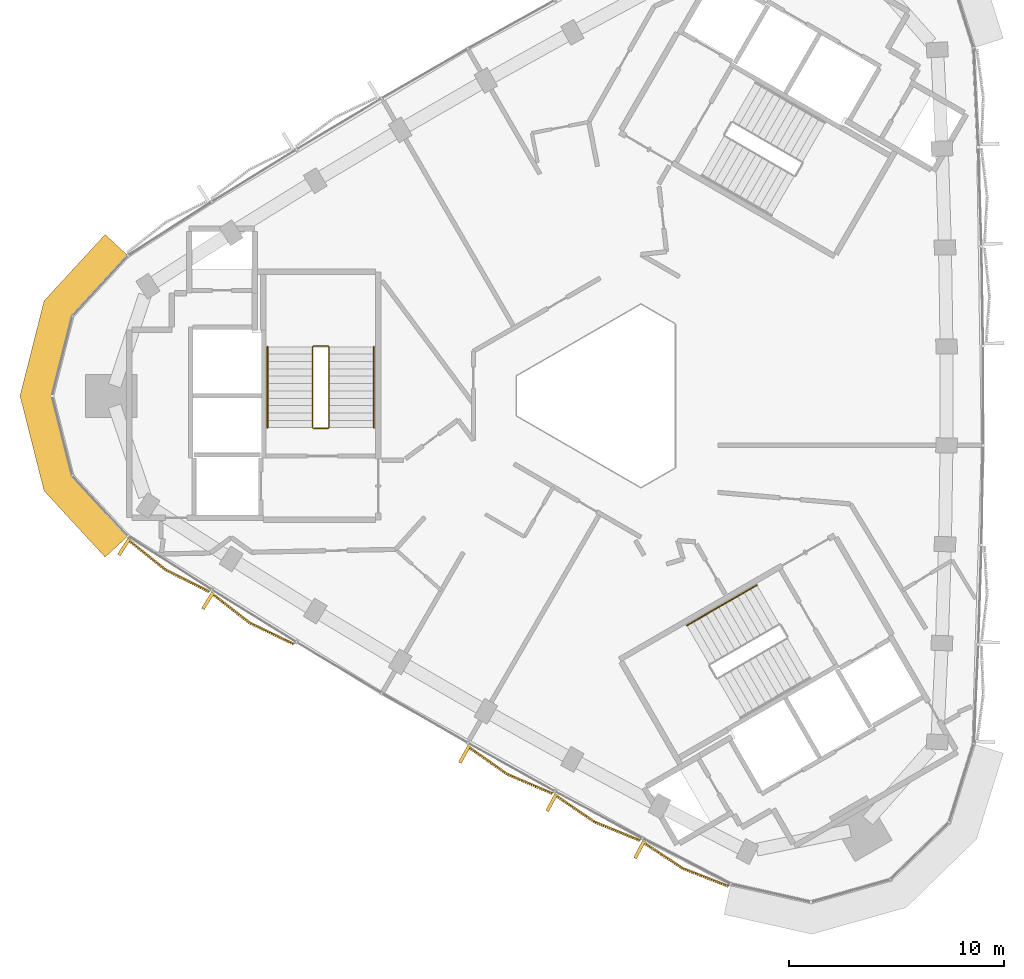
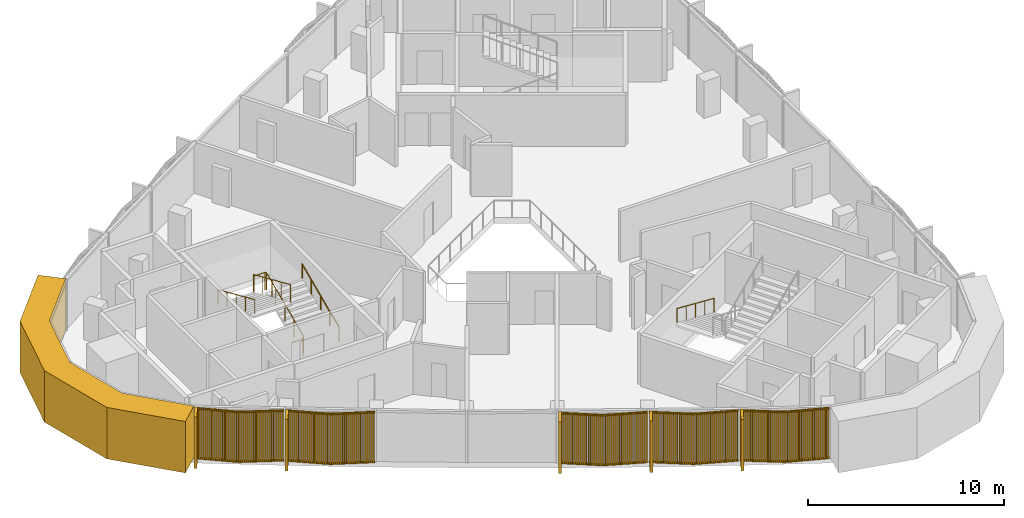
# One storey, part 10 of 13: 6 coverings, 4 railings.
"""IFC4 building model written with IfcOpenShell, lengths in metres."""

from ifc_helpers import new_model, si_unit, direction, frame, frame_2d, origin, origin_2d, place, context, subcontext, project, spatial, polyline, rectangle, circle, outline, extrude, source, transform, mapped, material, layer, layer_set, type_object, element, save


model = new_model("IFC4")

# Units and contexts
model_context = context("Model", 3, precision=1e-05, world=origin(), true_north=direction((0.0, 1.0)))
body_context = subcontext(model_context, "Body", "Model", "MODEL_VIEW")
ifc_project = project(units=[si_unit("LENGTHUNIT", "METRE"), si_unit("AREAUNIT", "SQUARE_METRE"), si_unit("VOLUMEUNIT", "CUBIC_METRE"), si_unit("PLANEANGLEUNIT", "RADIAN"), si_unit("MASSUNIT", "GRAM", prefix="KILO")], contexts=[model_context])

# Site, building, storey
site_placement = place(None, origin())
site = spatial("IfcSite", under=ifc_project, at=site_placement, CompositionType="ELEMENT")
building_placement = place(site_placement, origin())
building = spatial("IfcBuilding", under=site, at=building_placement, Name="Tamra Quay Hotel Tower", CompositionType="ELEMENT")
storey_placement = place(building_placement, frame((0.0, 0.0, 298.199951171875)))
storey = spatial("IfcBuildingStorey", under=building, at=storey_placement, Name="L75", CompositionType="ELEMENT", Elevation=298.199951171875)

# Covering
ifc_material_1 = material(Name="Precast concrete M60 terracotta-coloured", Category="masonry")
ifc_layer = layer(ifc_material_1, 1.449951171875)
ifc_layer_set = layer_set([ifc_layer], Name="CORNER PIER PANEL")
covering_type_1 = type_object("IfcCoveringType", Name="CORNER PIER PANEL", PredefinedType="CLADDING", material=ifc_layer_set)
covering_placement = place(storey_placement, origin())
element("IfcCovering", 1, at=covering_placement, inside=storey, type_object=covering_type_1, Name="Corner pier L75.north-west", PredefinedType="CLADDING", context=body_context, shape_type="SweptSolid", body=[
    extrude(outline(polyline([(-22.488525390625, 6.530517578125), (-23.55517578125, 7.5126953125), (-26.3984375, 4.425048828125), (-27.519287109375, 0.0), (-26.3984375, -4.425048828125), (-23.55517578125, -7.5126953125), (-22.488525390625, -6.530517578125), (-25.0830078125, -3.712890625), (-26.0234375, 0.0), (-25.0830078125, 3.712890625), (-22.488525390625, 6.530517578125)])), origin(), (0.0, 0.0, 1.0), 3.199951171875),
])

# Railings
ifc_material_2 = material(Name="Stair guard 1100")
railing_type_1 = type_object("IfcRailingType", Name="Stair guard 1100", PredefinedType="GUARDRAIL", material=ifc_material_2)
railing_1_placement = place(storey_placement, frame((-13.84130859375, -1.530029296875, 0.0)))
element("IfcRailing", 2, at=railing_1_placement, inside=storey, type_object=railing_type_1, Name="GR", PredefinedType="GUARDRAIL", context=body_context, shape_type="SweptSolid", body=[
    extrude(circle(Radius=0.02392578125, at=origin_2d()), frame((0.0, 0.0, 1.076171875), z_axis=(1.0, 0.0, 0.0), x_axis=(0.0, 1.0, 0.0)), (0.0, 0.0, 1.0), 0.658935546875),
    extrude(circle(Radius=0.02392578125, at=origin_2d()), frame((0.658935546875, 0.0, 1.076171875), z_axis=(0.301511344578, 0.301511344578, 0.904534033733), x_axis=(-0.707106781187, 0.707106781187, 0.0)), (0.0, 0.0, 1.0), 0.166015625),
    extrude(circle(Radius=0.02392578125, at=origin_2d()), frame((0.708984375, 0.050048828125, 1.22607421875), z_axis=(0.0, 0.915795495799, 0.401644880304), x_axis=(-1.0, 0.0, 0.0)), (0.0, 0.0, 1.0), 4.10791015625),
    extrude(circle(Radius=0.02392578125, at=origin_2d()), frame((0.708984375, 3.81201171875, 2.8759765625), z_axis=(-0.708833529934, 0.705375805398, 0.0), x_axis=(-0.705375805398, -0.708833529934, 0.0)), (0.0, 0.0, 1.0), 0.070556640625),
    extrude(circle(Radius=0.02392578125, at=origin_2d()), frame((0.658935546875, 3.86181640625, 2.8759765625), z_axis=(-1.0, 0.0, 0.0), x_axis=(0.0, -1.0, 0.0)), (0.0, 0.0, 1.0), 0.658935546875),
    extrude(circle(Radius=0.02392578125, at=origin_2d()), frame((0.0, 3.86181640625, 2.8759765625), z_axis=(-0.302046947789, -0.300573548044, 0.904667443621), x_axis=(0.705375805398, -0.708833529934, 0.0)), (0.0, 0.0, 1.0), 0.165771484375),
    extrude(circle(Radius=0.02392578125, at=origin_2d()), frame((-0.050048828125, 3.81201171875, 3.02587890625), z_axis=(0.0, -0.915773634228, 0.401694723457), x_axis=(1.0, 0.0, 0.0)), (0.0, 0.0, 1.0), 4.10791015625),
    extrude(circle(Radius=0.02099609375, at=origin_2d()), origin(), (0.0, 0.0, 1.0), 1.052001953125),
    extrude(circle(Radius=0.02099609375, at=origin_2d()), frame((0.658935546875, 0.0, 0.0)), (0.0, 0.0, 1.0), 1.052001953125),
    extrude(circle(Radius=0.02099609375, at=origin_2d()), frame((0.708984375, 0.050048828125, 0.150146484375)), (0.0, 0.0, 1.0), 1.052001953125),
    extrude(circle(Radius=0.02099609375, at=origin_2d()), frame((0.708984375, 0.990478515625, 0.5625)), (0.0, 0.0, 1.0), 1.052001953125),
    extrude(circle(Radius=0.02099609375, at=origin_2d()), frame((0.708984375, 1.93115234375, 0.97509765625)), (0.0, 0.0, 1.0), 1.052001953125),
    extrude(circle(Radius=0.02099609375, at=origin_2d()), frame((0.708984375, 2.87158203125, 1.3876953125)), (0.0, 0.0, 1.0), 1.052001953125),
    extrude(circle(Radius=0.02099609375, at=origin_2d()), frame((0.708984375, 3.81201171875, 1.800048828125)), (0.0, 0.0, 1.0), 1.052001953125),
    extrude(circle(Radius=0.02099609375, at=origin_2d()), frame((0.658935546875, 3.86181640625, 1.800048828125)), (0.0, 0.0, 1.0), 1.052001953125),
    extrude(circle(Radius=0.02099609375, at=origin_2d()), frame((0.0, 3.86181640625, 1.800048828125)), (0.0, 0.0, 1.0), 1.052001953125),
    extrude(circle(Radius=0.02099609375, at=origin_2d()), frame((-0.050048828125, 3.81201171875, 1.949951171875)), (0.0, 0.0, 1.0), 1.052001953125),
    extrude(circle(Radius=0.02099609375, at=origin_2d()), frame((-0.050048828125, 2.87158203125, 2.362548828125)), (0.0, 0.0, 1.0), 1.052001953125),
    extrude(circle(Radius=0.02099609375, at=origin_2d()), frame((-0.050048828125, 1.93115234375, 2.77490234375)), (0.0, 0.0, 1.0), 1.052001953125),
    extrude(circle(Radius=0.02099609375, at=origin_2d()), frame((-0.050048828125, 0.990478515625, 3.1875)), (0.0, 0.0, 1.0), 1.052001953125),
    extrude(circle(Radius=0.02099609375, at=origin_2d()), frame((-0.050048828125, 0.050048828125, 3.60009765625)), (0.0, 0.0, 1.0), 1.052001953125),
])
ifc_material_3 = material(Name="Stair handrail 900")
railing_type_2 = type_object("IfcRailingType", Name="Stair handrail 900", PredefinedType="HANDRAIL", material=ifc_material_3)
railing_2_placement = place(storey_placement, frame((-11.0322265625, -1.47998046875, 0.150146484375)))
element("IfcRailing", 3, at=railing_2_placement, inside=storey, type_object=railing_type_2, Name="HR", PredefinedType="HANDRAIL", context=body_context, shape_type="SweptSolid", body=[
    extrude(circle(Radius=0.02392578125, at=origin_2d()), frame((0.0, 0.0, 0.8759765625), z_axis=(0.0, 0.915795495799, 0.401644880304), x_axis=(-1.0, 0.0, 0.0)), (0.0, 0.0, 1.0), 4.10791015625),
    extrude(circle(Radius=0.02099609375, at=origin_2d()), origin(), (0.0, 0.0, 1.0), 0.851806640625),
    extrude(circle(Radius=0.02099609375, at=origin_2d()), frame((0.0, 0.9404296875, 0.41259765625)), (0.0, 0.0, 1.0), 0.851806640625),
    extrude(circle(Radius=0.02099609375, at=origin_2d()), frame((0.0, 1.880859375, 0.824951171875)), (0.0, 0.0, 1.0), 0.851806640625),
    extrude(circle(Radius=0.02099609375, at=origin_2d()), frame((0.0, 2.821533203125, 1.2373046875)), (0.0, 0.0, 1.0), 0.851806640625),
    extrude(circle(Radius=0.02099609375, at=origin_2d()), frame((0.0, 3.761962890625, 1.64990234375)), (0.0, 0.0, 1.0), 0.851806640625),
])
railing_3_placement = place(storey_placement, frame((-15.9912109375, 2.281982421875, 1.949951171875)))
element("IfcRailing", 4, at=railing_3_placement, inside=storey, type_object=railing_type_2, Name="HR", PredefinedType="HANDRAIL", context=body_context, shape_type="SweptSolid", body=[
    extrude(circle(Radius=0.02392578125, at=origin_2d()), frame((0.0, 0.0, 0.8759765625), z_axis=(0.0, -0.915773634228, 0.401694723457), x_axis=(1.0, 0.0, 0.0)), (0.0, 0.0, 1.0), 4.10791015625),
    extrude(circle(Radius=0.02099609375, at=origin_2d()), origin(), (0.0, 0.0, 1.0), 0.851806640625),
    extrude(circle(Radius=0.02099609375, at=origin_2d()), frame((0.0, -0.9404296875, 0.41259765625)), (0.0, 0.0, 1.0), 0.851806640625),
    extrude(circle(Radius=0.02099609375, at=origin_2d()), frame((0.0, -1.880859375, 0.8251953125)), (0.0, 0.0, 1.0), 0.851806640625),
    extrude(circle(Radius=0.02099609375, at=origin_2d()), frame((0.0, -2.821533203125, 1.237548828125)), (0.0, 0.0, 1.0), 0.851806640625),
    extrude(circle(Radius=0.02099609375, at=origin_2d()), frame((0.0, -3.761962890625, 1.650146484375)), (0.0, 0.0, 1.0), 0.851806640625),
])
railing_4_placement = place(storey_placement, frame((6.7978515625, -8.814208984375, 0.150146484375)))
element("IfcRailing", 5, at=railing_4_placement, inside=storey, type_object=railing_type_2, Name="HR", PredefinedType="HANDRAIL", context=body_context, shape_type="SweptSolid", body=[
    extrude(circle(Radius=0.02392578125, at=origin_2d()), frame((0.0, 0.0, 0.8759765625), z_axis=(-0.79310004713, -0.457886897714, 0.401661429744), x_axis=(0.499992114976, -0.866029956157, 0.0)), (0.0, 0.0, 1.0), 4.107666015625),
    extrude(circle(Radius=0.02099609375, at=origin_2d()), origin(), (0.0, 0.0, 1.0), 0.851806640625),
    extrude(circle(Radius=0.02099609375, at=origin_2d()), frame((-0.814453125, -0.47021484375, 0.41259765625)), (0.0, 0.0, 1.0), 0.851806640625),
    extrude(circle(Radius=0.02099609375, at=origin_2d()), frame((-1.62890625, -0.9404296875, 0.824951171875)), (0.0, 0.0, 1.0), 0.851806640625),
    extrude(circle(Radius=0.02099609375, at=origin_2d()), frame((-2.443359375, -1.41064453125, 1.2373046875)), (0.0, 0.0, 1.0), 0.851806640625),
    extrude(circle(Radius=0.02099609375, at=origin_2d()), frame((-3.2578125, -1.880859375, 1.64990234375)), (0.0, 0.0, 1.0), 0.851806640625),
])

# Coverings
ifc_material_4 = material(Name="Terracotta baguette extruded", Category="masonry")
covering_type_2 = type_object("IfcCoveringType", Name="BAGUETTE SCREEN SW-V H3200", PredefinedType="USERDEFINED", material=ifc_material_4)
shared_shape = source(origin(), body_context, "Body", "SweptSolid", [
    extrude(rectangle(XDim=2.284912109375, YDim=0.06005859375, at=frame_2d((1.142578125, 0.030029296875))), frame((-2.27880859375, -0.0576171875, -0.1201171875), z_axis=(0.0, 0.0, 1.0), x_axis=(0.994521895368, -0.104528463268, 0.0)), (0.0, 0.0, 1.0), 0.1201171875),
    extrude(rectangle(XDim=2.284912109375, YDim=0.06005859375, at=frame_2d((1.142578125, 0.030029296875))), frame((-2.27880859375, -0.0576171875, -3.199951171875), z_axis=(0.0, 0.0, 1.0), x_axis=(0.994521895368, -0.104528463268, 0.0)), (0.0, 0.0, 1.0), 0.1201171875),
    extrude(rectangle(XDim=0.070068359375, YDim=0.10009765625, at=frame_2d((0.03515625, 0.050048828125))), frame((-2.258056640625, -0.13330078125, -3.139892578125)), (0.0, 0.0, 1.0), 3.080078125),
    extrude(rectangle(XDim=0.070068359375, YDim=0.10009765625, at=frame_2d((0.03515625, 0.050048828125))), frame((-2.1591796875, -0.1435546875, -3.139892578125)), (0.0, 0.0, 1.0), 3.080078125),
    extrude(rectangle(XDim=0.070068359375, YDim=0.10009765625, at=frame_2d((0.03515625, 0.050048828125))), frame((-2.060546875, -0.154052734375, -3.139892578125)), (0.0, 0.0, 1.0), 3.080078125),
    extrude(rectangle(XDim=0.070068359375, YDim=0.10009765625, at=frame_2d((0.03515625, 0.050048828125))), frame((-1.961669921875, -0.164306640625, -3.139892578125)), (0.0, 0.0, 1.0), 3.080078125),
    extrude(rectangle(XDim=0.070068359375, YDim=0.10009765625, at=frame_2d((0.03515625, 0.050048828125))), frame((-1.86279296875, -0.1748046875, -3.139892578125)), (0.0, 0.0, 1.0), 3.080078125),
    extrude(rectangle(XDim=0.070068359375, YDim=0.10009765625, at=frame_2d((0.03515625, 0.050048828125))), frame((-1.76416015625, -0.18505859375, -3.139892578125)), (0.0, 0.0, 1.0), 3.080078125),
    extrude(rectangle(XDim=0.070068359375, YDim=0.10009765625, at=frame_2d((0.03515625, 0.050048828125))), frame((-1.665283203125, -0.195556640625, -3.139892578125)), (0.0, 0.0, 1.0), 3.080078125),
    extrude(rectangle(XDim=0.070068359375, YDim=0.10009765625, at=frame_2d((0.03515625, 0.050048828125))), frame((-1.56640625, -0.205810546875, -3.139892578125)), (0.0, 0.0, 1.0), 3.080078125),
    extrude(rectangle(XDim=0.070068359375, YDim=0.10009765625, at=frame_2d((0.03515625, 0.050048828125))), frame((-1.4677734375, -0.21630859375, -3.139892578125)), (0.0, 0.0, 1.0), 3.080078125),
    extrude(rectangle(XDim=0.070068359375, YDim=0.10009765625, at=frame_2d((0.03515625, 0.050048828125))), frame((-1.368896484375, -0.2265625, -3.139892578125)), (0.0, 0.0, 1.0), 3.080078125),
    extrude(rectangle(XDim=0.070068359375, YDim=0.10009765625, at=frame_2d((0.03515625, 0.050048828125))), frame((-1.27001953125, -0.237060546875, -3.139892578125)), (0.0, 0.0, 1.0), 3.080078125),
    extrude(rectangle(XDim=0.070068359375, YDim=0.10009765625, at=frame_2d((0.03515625, 0.050048828125))), frame((-1.171142578125, -0.247314453125, -3.139892578125)), (0.0, 0.0, 1.0), 3.080078125),
    extrude(rectangle(XDim=0.070068359375, YDim=0.10009765625, at=frame_2d((0.03515625, 0.050048828125))), frame((-1.072509765625, -0.2578125, -3.139892578125)), (0.0, 0.0, 1.0), 3.080078125),
    extrude(rectangle(XDim=0.070068359375, YDim=0.10009765625, at=frame_2d((0.03515625, 0.050048828125))), frame((-0.9736328125, -0.268310546875, -3.139892578125)), (0.0, 0.0, 1.0), 3.080078125),
    extrude(rectangle(XDim=0.070068359375, YDim=0.10009765625, at=frame_2d((0.03515625, 0.050048828125))), frame((-0.874755859375, -0.278564453125, -3.139892578125)), (0.0, 0.0, 1.0), 3.080078125),
    extrude(rectangle(XDim=0.070068359375, YDim=0.10009765625, at=frame_2d((0.03515625, 0.050048828125))), frame((-0.776123046875, -0.2890625, -3.139892578125)), (0.0, 0.0, 1.0), 3.080078125),
    extrude(rectangle(XDim=0.070068359375, YDim=0.10009765625, at=frame_2d((0.03515625, 0.050048828125))), frame((-0.67724609375, -0.29931640625, -3.139892578125)), (0.0, 0.0, 1.0), 3.080078125),
    extrude(rectangle(XDim=0.070068359375, YDim=0.10009765625, at=frame_2d((0.03515625, 0.050048828125))), frame((-0.578369140625, -0.309814453125, -3.139892578125)), (0.0, 0.0, 1.0), 3.080078125),
    extrude(rectangle(XDim=0.070068359375, YDim=0.10009765625, at=frame_2d((0.03515625, 0.050048828125))), frame((-0.479736328125, -0.320068359375, -3.139892578125)), (0.0, 0.0, 1.0), 3.080078125),
    extrude(rectangle(XDim=0.070068359375, YDim=0.10009765625, at=frame_2d((0.03515625, 0.050048828125))), frame((-0.380859375, -0.33056640625, -3.139892578125)), (0.0, 0.0, 1.0), 3.080078125),
    extrude(rectangle(XDim=0.070068359375, YDim=0.10009765625, at=frame_2d((0.03515625, 0.050048828125))), frame((-0.281982421875, -0.3408203125, -3.139892578125)), (0.0, 0.0, 1.0), 3.080078125),
    extrude(rectangle(XDim=0.070068359375, YDim=0.10009765625, at=frame_2d((0.03515625, 0.050048828125))), frame((-0.18310546875, -0.351318359375, -3.139892578125)), (0.0, 0.0, 1.0), 3.080078125),
    extrude(rectangle(XDim=0.070068359375, YDim=0.10009765625, at=frame_2d((0.03515625, 0.050048828125))), frame((-0.08447265625, -0.361572265625, -3.139892578125)), (0.0, 0.0, 1.0), 3.080078125),
    extrude(rectangle(XDim=2.284912109375, YDim=0.06005859375, at=frame_2d((1.142578125, 0.030029296875))), frame((0.00634765625, -0.296630859375, -0.1201171875), z_axis=(0.0, 0.0, 1.0), x_axis=(0.994521895368, 0.104528463268, 0.0)), (0.0, 0.0, 1.0), 0.1201171875),
    extrude(rectangle(XDim=2.284912109375, YDim=0.06005859375, at=frame_2d((1.142578125, 0.030029296875))), frame((0.00634765625, -0.296630859375, -3.199951171875), z_axis=(0.0, 0.0, 1.0), x_axis=(0.994521895368, 0.104528463268, 0.0)), (0.0, 0.0, 1.0), 0.1201171875),
    extrude(rectangle(XDim=0.070068359375, YDim=0.10009765625, at=frame_2d((0.03515625, 0.050048828125))), frame((0.014404296875, -0.361572265625, -3.139892578125)), (0.0, 0.0, 1.0), 3.080078125),
    extrude(rectangle(XDim=0.070068359375, YDim=0.10009765625, at=frame_2d((0.03515625, 0.050048828125))), frame((0.11328125, -0.351318359375, -3.139892578125)), (0.0, 0.0, 1.0), 3.080078125),
    extrude(rectangle(XDim=0.070068359375, YDim=0.10009765625, at=frame_2d((0.03515625, 0.050048828125))), frame((0.2119140625, -0.3408203125, -3.139892578125)), (0.0, 0.0, 1.0), 3.080078125),
    extrude(rectangle(XDim=0.070068359375, YDim=0.10009765625, at=frame_2d((0.03515625, 0.050048828125))), frame((0.310791015625, -0.33056640625, -3.139892578125)), (0.0, 0.0, 1.0), 3.080078125),
    extrude(rectangle(XDim=0.070068359375, YDim=0.10009765625, at=frame_2d((0.03515625, 0.050048828125))), frame((0.40966796875, -0.320068359375, -3.139892578125)), (0.0, 0.0, 1.0), 3.080078125),
    extrude(rectangle(XDim=0.070068359375, YDim=0.10009765625, at=frame_2d((0.03515625, 0.050048828125))), frame((0.50830078125, -0.309814453125, -3.139892578125)), (0.0, 0.0, 1.0), 3.080078125),
    extrude(rectangle(XDim=0.070068359375, YDim=0.10009765625, at=frame_2d((0.03515625, 0.050048828125))), frame((0.607177734375, -0.29931640625, -3.139892578125)), (0.0, 0.0, 1.0), 3.080078125),
    extrude(rectangle(XDim=0.070068359375, YDim=0.10009765625, at=frame_2d((0.03515625, 0.050048828125))), frame((0.7060546875, -0.2890625, -3.139892578125)), (0.0, 0.0, 1.0), 3.080078125),
    extrude(rectangle(XDim=0.070068359375, YDim=0.10009765625, at=frame_2d((0.03515625, 0.050048828125))), frame((0.804931640625, -0.278564453125, -3.139892578125)), (0.0, 0.0, 1.0), 3.080078125),
    extrude(rectangle(XDim=0.070068359375, YDim=0.10009765625, at=frame_2d((0.03515625, 0.050048828125))), frame((0.903564453125, -0.268310546875, -3.139892578125)), (0.0, 0.0, 1.0), 3.080078125),
    extrude(rectangle(XDim=0.070068359375, YDim=0.10009765625, at=frame_2d((0.03515625, 0.050048828125))), frame((1.00244140625, -0.2578125, -3.139892578125)), (0.0, 0.0, 1.0), 3.080078125),
    extrude(rectangle(XDim=0.070068359375, YDim=0.10009765625, at=frame_2d((0.03515625, 0.050048828125))), frame((1.101318359375, -0.247314453125, -3.139892578125)), (0.0, 0.0, 1.0), 3.080078125),
    extrude(rectangle(XDim=0.070068359375, YDim=0.10009765625, at=frame_2d((0.03515625, 0.050048828125))), frame((1.199951171875, -0.237060546875, -3.139892578125)), (0.0, 0.0, 1.0), 3.080078125),
    extrude(rectangle(XDim=0.070068359375, YDim=0.10009765625, at=frame_2d((0.03515625, 0.050048828125))), frame((1.298828125, -0.2265625, -3.139892578125)), (0.0, 0.0, 1.0), 3.080078125),
    extrude(rectangle(XDim=0.070068359375, YDim=0.10009765625, at=frame_2d((0.03515625, 0.050048828125))), frame((1.397705078125, -0.21630859375, -3.139892578125)), (0.0, 0.0, 1.0), 3.080078125),
    extrude(rectangle(XDim=0.070068359375, YDim=0.10009765625, at=frame_2d((0.03515625, 0.050048828125))), frame((1.49658203125, -0.205810546875, -3.139892578125)), (0.0, 0.0, 1.0), 3.080078125),
    extrude(rectangle(XDim=0.070068359375, YDim=0.10009765625, at=frame_2d((0.03515625, 0.050048828125))), frame((1.59521484375, -0.195556640625, -3.139892578125)), (0.0, 0.0, 1.0), 3.080078125),
    extrude(rectangle(XDim=0.070068359375, YDim=0.10009765625, at=frame_2d((0.03515625, 0.050048828125))), frame((1.694091796875, -0.18505859375, -3.139892578125)), (0.0, 0.0, 1.0), 3.080078125),
    extrude(rectangle(XDim=0.070068359375, YDim=0.10009765625, at=frame_2d((0.03515625, 0.050048828125))), frame((1.79296875, -0.1748046875, -3.139892578125)), (0.0, 0.0, 1.0), 3.080078125),
    extrude(rectangle(XDim=0.070068359375, YDim=0.10009765625, at=frame_2d((0.03515625, 0.050048828125))), frame((1.8916015625, -0.164306640625, -3.139892578125)), (0.0, 0.0, 1.0), 3.080078125),
    extrude(rectangle(XDim=0.070068359375, YDim=0.10009765625, at=frame_2d((0.03515625, 0.050048828125))), frame((1.990478515625, -0.154052734375, -3.139892578125)), (0.0, 0.0, 1.0), 3.080078125),
    extrude(rectangle(XDim=0.070068359375, YDim=0.10009765625, at=frame_2d((0.03515625, 0.050048828125))), frame((2.08935546875, -0.1435546875, -3.139892578125)), (0.0, 0.0, 1.0), 3.080078125),
    extrude(rectangle(XDim=0.070068359375, YDim=0.10009765625, at=frame_2d((0.03515625, 0.050048828125))), frame((2.18798828125, -0.13330078125, -3.139892578125)), (0.0, 0.0, 1.0), 3.080078125),
    extrude(rectangle(XDim=0.14990234375, YDim=0.902099609375, at=frame_2d((0.074951171875, 0.451171875))), frame((-2.2724609375, -0.89990234375, -3.199951171875)), (0.0, 0.0, 1.0), 3.199951171875),
])
for number, where, z_axis, x_axis, name in (
    (6, (-20.580322265625, -7.84765625, 3.199951171875), (0.0, 0.0, 1.0), (0.841664986899, -0.540000046137, 0.0), "Baguette screen L75.SW.f00"),
    (7, (-16.659912109375, -10.31982421875, 3.199951171875), (0.0, 0.0, 1.0), (0.849981756251, -0.526812124045, 0.0), "Baguette screen L75.SW.f01"),
    (8, (-4.674072265625, -17.365478515625, 3.199951171875), (0.0, 0.0, 1.0), (0.87373577863, -0.486400852324, 0.0), "Baguette screen L75.SW.f04"),
    (9, (-0.607177734375, -19.587890625, 3.199951171875), (0.0, 0.0, 1.0), (0.88122356057, -0.472699731644, 0.0), "Baguette screen L75.SW.f05"),
    (10, (3.493896484375, -21.746826171875, 3.199951171875), (0.0, 0.0, 1.0), (0.888486251449, -0.458903237062, 0.0), "Baguette screen L75.SW.f06"),
):
    element("IfcCovering", number, at=place(storey_placement, frame(where, z_axis=z_axis, x_axis=x_axis)), inside=storey, type_object=covering_type_2, Name=name, ObjectType="BAGUETTE SCREEN", PredefinedType="USERDEFINED", context=body_context, shape_type="MappedRepresentation", body=[
        mapped(shared_shape, transform((0.0, 0.0, 0.0), scale=1.0)),
    ])

save(model, "model.ifc")
